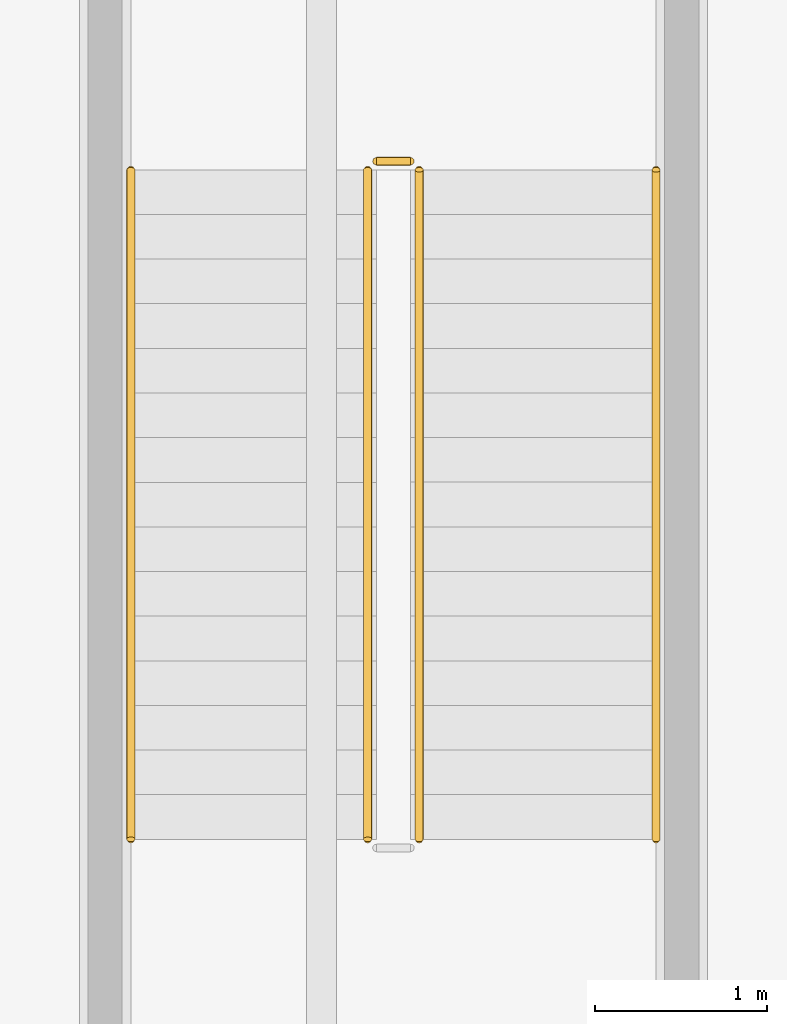
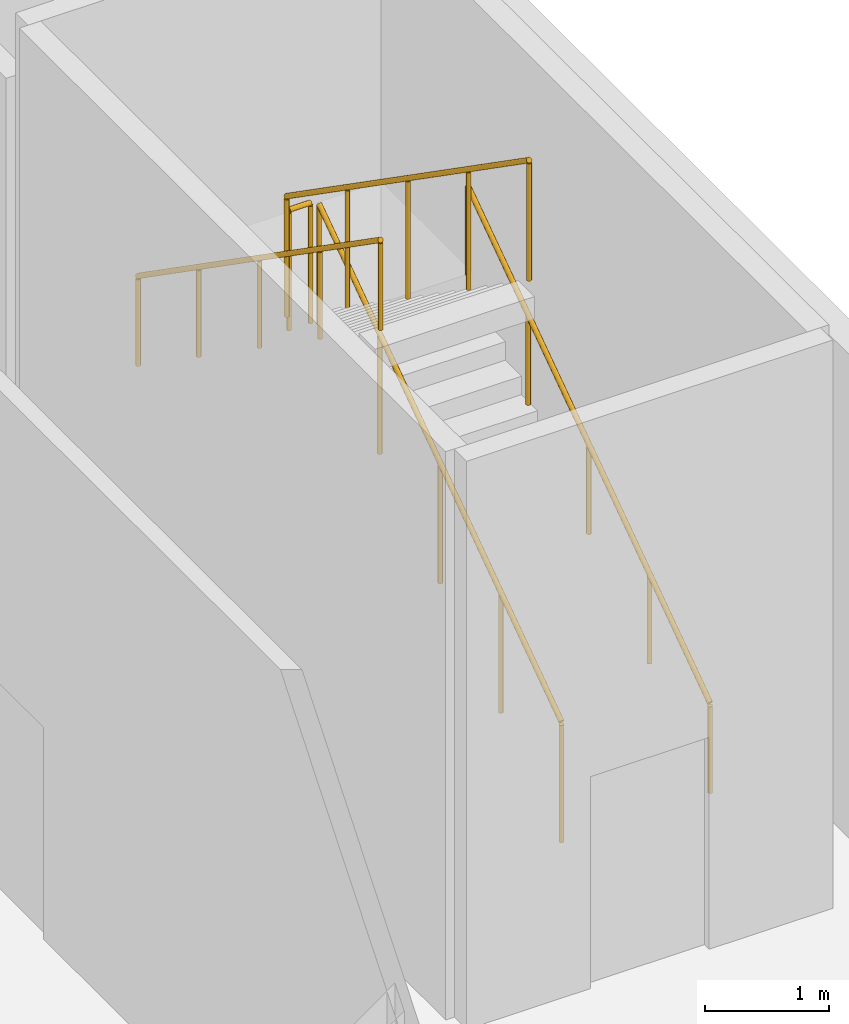
# One storey, part 35 of 36: 5 railings.
"""IFC4 building model written with IfcOpenShell, lengths in metres."""

import ifcopenshell
import ifcopenshell.guid

model = None  # the IFC model being written
_history = None  # IfcOwnerHistory: only IFC2X3 demands one
_inside = {}  # id of a spatial element -> (the spatial element, [elements in it])
_under = {}  # id of a project, library or spatial element -> (it, [spatial elements below it])
_declared = {}  # id of a project -> (the project, [libraries it declares])
_typed = {}  # id of a type object -> (the type object, [elements of that type])
_made_of = {}  # id of a material, layer set ... -> (it, [elements and type objects made of it])


def new_model(schema):
    """Start an empty IFC model of exactly this schema.

    Asked for "IFC4X3", IfcOpenShell would pick the latest addendum, in which some entities
    have other attributes; the version numbers below select the first issue.
    IFC2X3 requires an IfcOwnerHistory on every rooted entity: one is made here for all.
    """
    global model, _history
    if schema == "IFC4X3":
        model = ifcopenshell.file(schema_version=(4, 3, 0, 0))
    else:
        model = ifcopenshell.file(schema=schema)
    _inside.clear()
    _under.clear()
    _declared.clear()
    _typed.clear()
    _made_of.clear()
    _history = None
    if model.schema == "IFC2X3":
        org = make("IfcOrganization", Name="unknown")
        user = make(
            "IfcPersonAndOrganization",
            ThePerson=make("IfcPerson", FamilyName="unknown"),
            TheOrganization=org,
        )
        app = make(
            "IfcApplication",
            ApplicationDeveloper=org,
            Version="unknown",
            ApplicationFullName="unknown",
            ApplicationIdentifier="unknown",
        )
        _history = make(
            "IfcOwnerHistory",
            OwningUser=user,
            OwningApplication=app,
            ChangeAction="ADDED",
            CreationDate=0,
        )
    return model


def make(cls, **values):
    """One entity of the class cls with the attributes given. An attribute that is None is left unset."""
    return model.create_entity(
        cls, **{name: value for name, value in values.items() if value is not None}
    )


def rooted(cls, **values):
    """An entity with a GlobalId (a new one), such as an element, a storey or a relation."""
    return make(cls, GlobalId=ifcopenshell.guid.new(), OwnerHistory=_history, **values)


def si_unit(unit_type, name, prefix=None):
    """IfcSIUnit, for example si_unit("LENGTHUNIT", "METRE", prefix="MILLI")."""
    return make("IfcSIUnit", UnitType=unit_type, Prefix=prefix, Name=name)


def assignment(units):
    """IfcUnitAssignment: the units of a project."""
    return None if units is None else make("IfcUnitAssignment", Units=units)


def point(xyz):
    """IfcCartesianPoint."""
    return None if xyz is None else make("IfcCartesianPoint", Coordinates=xyz)


def direction(xyz):
    """IfcDirection."""
    return None if xyz is None else make("IfcDirection", DirectionRatios=xyz)


def frame(location, z_axis=None, x_axis=None):
    """IfcAxis2Placement3D, a coordinate frame: its origin and axes. An axis left out is left unset."""
    return make(
        "IfcAxis2Placement3D",
        Location=point(location),
        Axis=direction(z_axis),
        RefDirection=direction(x_axis),
    )


def frame_2d(location, x_axis=None):
    """IfcAxis2Placement2D, a coordinate frame in the plane: its origin and x axis."""
    return make(
        "IfcAxis2Placement2D", Location=point(location), RefDirection=direction(x_axis)
    )


def origin():
    """The frame at (0, 0, 0) with its axes left unset."""
    return frame((0.0, 0.0, 0.0))


def origin_2d():
    """The frame at (0, 0) in the plane with its x axis left unset."""
    return frame_2d((0.0, 0.0))


def place(relative_to, where):
    """IfcLocalPlacement: puts the frame where relative to a parent placement (None: the world)."""
    return make(
        "IfcLocalPlacement", PlacementRelTo=relative_to, RelativePlacement=where
    )


def context(
    kind, dimensions, precision=None, world=None, true_north=None, identifier=None
):
    """IfcGeometricRepresentationContext, for example the 3D "Model" context."""
    return make(
        "IfcGeometricRepresentationContext",
        ContextIdentifier=identifier,
        ContextType=kind,
        CoordinateSpaceDimension=dimensions,
        Precision=precision,
        WorldCoordinateSystem=world,
        TrueNorth=true_north,
    )


def subcontext(parent, identifier, kind, view, scale=None):
    """IfcGeometricRepresentationSubContext, for example "Body" below "Model"."""
    return make(
        "IfcGeometricRepresentationSubContext",
        ContextIdentifier=identifier,
        ContextType=kind,
        ParentContext=parent,
        TargetScale=scale,
        TargetView=view,
    )


def project(units=None, contexts=None):
    """IfcProject with its units and contexts."""
    return rooted(
        "IfcProject",
        Name="project",
        RepresentationContexts=contexts,
        UnitsInContext=assignment(units),
    )


def spatial(cls, under=None, at=None, **own):
    """A site, building, storey or space (cls), placed at a placement, below another one or the project."""
    s = rooted(cls, ObjectPlacement=at, **own)
    if under is not None:
        _under.setdefault(under.id(), (under, []))[1].append(s)
    return s


def profile(cls, at=None, kind="AREA", **sizes):
    """A parametric profile (cls). Its sizes go by their IFC names, for example OverallWidth=200.0."""
    return make(cls, ProfileType=kind, Position=at, **sizes)


def circle(**sizes):
    """IfcCircleProfileDef."""
    return profile("IfcCircleProfileDef", **sizes)


def extrude(swept, where, along, depth):
    """IfcExtrudedAreaSolid: the profile swept, set in the frame where, extruded along a direction by depth."""
    return make(
        "IfcExtrudedAreaSolid",
        SweptArea=swept,
        Position=where,
        ExtrudedDirection=direction(along),
        Depth=depth,
    )


def shape(context_of_items, identifier, shape_type, items):
    """IfcShapeRepresentation: the items that make up one representation, for example the "Body"."""
    return make(
        "IfcShapeRepresentation",
        ContextOfItems=context_of_items,
        RepresentationIdentifier=identifier,
        RepresentationType=shape_type,
        Items=items,
    )


def material(Name=None, Category=None):
    """IfcMaterial."""
    return make("IfcMaterial", Name=Name, Category=Category)


def layer(
    of_material, thickness, ventilated=None, Name=None, Category=None, Priority=None
):
    """IfcMaterialLayer: one layer of a wall or slab, of a material (None: an air gap)."""
    return make(
        "IfcMaterialLayer",
        Material=of_material,
        LayerThickness=thickness,
        IsVentilated=ventilated,
        Name=Name,
        Category=Category,
        Priority=Priority,
    )


def layer_set(layers, Name=None):
    """IfcMaterialLayerSet."""
    return make("IfcMaterialLayerSet", MaterialLayers=layers, LayerSetName=Name)


def made_of(thing, what):
    """Note that an element or type object is made of a material, layer set ...; save() writes the relation."""
    if what is not None:
        _made_of.setdefault(what.id(), (what, []))[1].append(thing)
    return thing


def type_object(cls, material=None, **own):
    """A type object (cls), such as IfcWallType, which elements share."""
    return made_of(rooted(cls, **own), material)


def element(
    cls,
    number,
    at=None,
    inside=None,
    cuts=None,
    type_object=None,
    material=None,
    context=None,
    identifier="Body",
    shape_type=None,
    held_by="IfcProductDefinitionShape",
    body=None,
    shapes=None,
    **own,
):
    """One element of the class cls, such as IfcWall. Its Tag is "e" and its number.

    at: its placement. inside: the storey or other place that contains it. cuts: it is an
    opening in that element (IfcRelVoidsElement). A single representation is given by context,
    identifier, shape_type and body (its items); several are given by shapes. held_by: the class
    of the entity that holds the representations. save() writes the other relations.
    """
    e = rooted(cls, Tag="e%d" % number, ObjectPlacement=at, **own)
    if body is not None:
        shapes = [shape(context, identifier, shape_type, body)]
    if shapes is not None:
        e.Representation = make(held_by, Representations=shapes)
    if inside is not None:
        _inside.setdefault(inside.id(), (inside, []))[1].append(e)
    if cuts is not None:
        rooted(
            "IfcRelVoidsElement", RelatingBuildingElement=cuts, RelatedOpeningElement=e
        )
    if type_object is not None:
        _typed.setdefault(type_object.id(), (type_object, []))[1].append(e)
    return made_of(e, material)


def aggregate(whole, parts):
    """IfcRelAggregates: a whole, such as a stair, and the parts it consists of."""
    return rooted("IfcRelAggregates", RelatingObject=whole, RelatedObjects=parts)


def save(model, path):
    """Write the relations noted so far, then the file.

    IfcRelAggregates (storeys below a building ...), IfcRelContainedInSpatialStructure (elements
    in a storey), IfcRelDefinesByType, IfcRelAssociatesMaterial and IfcRelDeclares: one each for
    every whole, place, type object, material and project.
    """
    for whole, parts in _under.values():
        aggregate(whole, parts)
    for where, things in _inside.values():
        rooted(
            "IfcRelContainedInSpatialStructure",
            RelatedElements=things,
            RelatingStructure=where,
        )
    for kind, things in _typed.values():
        rooted("IfcRelDefinesByType", RelatedObjects=things, RelatingType=kind)
    for what, things in _made_of.values():
        rooted("IfcRelAssociatesMaterial", RelatedObjects=things, RelatingMaterial=what)
    for by, libraries in _declared.values():
        rooted("IfcRelDeclares", RelatingContext=by, RelatedDefinitions=libraries)
    model.write(path)


model = new_model("IFC4")

# Units and contexts
model_context = context("Model", 3, precision=1e-05, world=origin(), true_north=direction((0.0, 1.0)))
body_context = subcontext(model_context, "Body", "Model", "MODEL_VIEW")
ifc_project = project(units=[si_unit("LENGTHUNIT", "METRE"), si_unit("AREAUNIT", "SQUARE_METRE"), si_unit("VOLUMEUNIT", "CUBIC_METRE"), si_unit("PLANEANGLEUNIT", "RADIAN"), si_unit("MASSUNIT", "GRAM", prefix="KILO")], contexts=[model_context])

# Site, building, storey
site_placement = place(None, origin())
site = spatial("IfcSite", under=ifc_project, at=site_placement, CompositionType="ELEMENT")
building_placement = place(site_placement, origin())
building = spatial("IfcBuilding", under=site, at=building_placement, Name="Noeulbin Bourse Tower", CompositionType="ELEMENT")
storey_placement = place(building_placement, origin())
storey = spatial("IfcBuildingStorey", under=building, at=storey_placement, Name="L01", CompositionType="ELEMENT", Elevation=0.0)

# Railings
ifc_material_1 = material(Name="Painted Tubular Steel S355", Category="steel")
ifc_layer_1 = layer(ifc_material_1, 0.048095703125)
ifc_layer_set_1 = layer_set([ifc_layer_1], Name="Painted Tubular Steel S355")
railing_type_1 = type_object("IfcRailingType", Name="RLG-STR-GRD", PredefinedType="GUARDRAIL", material=ifc_layer_set_1)
railing_1_placement = place(storey_placement, frame((74.8701171875, 42.280029296875, 0.18115234375)))
element("IfcRailing", 1, at=railing_1_placement, inside=storey, type_object=railing_type_1, Name="L01 MST-2 stair guard 1", PredefinedType="GUARDRAIL", context=body_context, shape_type="SweptSolid", body=[
    extrude(circle(Radius=0.02392578125, at=origin_2d()), frame((0.0, 0.0, 1.17578125), z_axis=(0.0, 0.820335381215, 0.571882734769), x_axis=(-1.0, 0.0, 0.0)), (0.0, 0.0, 1.0), 4.754150390625),
    extrude(circle(Radius=0.02099609375, at=origin_2d()), origin(), (0.0, 0.0, 1.0), 1.15185546875),
    extrude(circle(Radius=0.02099609375, at=origin_2d()), frame((0.0, 0.97509765625, 0.6796875)), (0.0, 0.0, 1.0), 1.15185546875),
    extrude(circle(Radius=0.02099609375, at=origin_2d()), frame((0.0, 1.949951171875, 1.359375)), (0.0, 0.0, 1.0), 1.15185546875),
    extrude(circle(Radius=0.02099609375, at=origin_2d()), frame((0.0, 2.9248046875, 2.0390625)), (0.0, 0.0, 1.0), 1.15185546875),
    extrude(circle(Radius=0.02099609375, at=origin_2d()), frame((0.0, 3.89990234375, 2.71875)), (0.0, 0.0, 1.0), 1.15185546875),
])
railing_2_placement = place(storey_placement, frame((74.820068359375, 46.22998046875, 2.89990234375)))
element("IfcRailing", 2, at=railing_2_placement, inside=storey, type_object=railing_type_1, Name="L01 MST-2 stair guard 2", PredefinedType="GUARDRAIL", context=body_context, shape_type="SweptSolid", body=[
    extrude(circle(Radius=0.02392578125, at=origin_2d()), frame((0.0, 0.0, 1.17578125), z_axis=(-1.0, 0.0, 0.0), x_axis=(0.0, -1.0, 0.0)), (0.0, 0.0, 1.0), 0.199951171875),
    extrude(circle(Radius=0.02099609375, at=origin_2d()), origin(), (0.0, 0.0, 1.0), 1.15185546875),
    extrude(circle(Radius=0.02099609375, at=origin_2d()), frame((-0.199951171875, 0.0, 0.0)), (0.0, 0.0, 1.0), 1.15185546875),
])
railing_3_placement = place(storey_placement, frame((74.570068359375, 46.179931640625, 3.081298828125)))
element("IfcRailing", 3, at=railing_3_placement, inside=storey, type_object=railing_type_1, Name="L01 MST-2 stair guard 3", PredefinedType="GUARDRAIL", context=body_context, shape_type="SweptSolid", body=[
    extrude(circle(Radius=0.02392578125, at=origin_2d()), frame((0.0, 0.0, 1.17578125), z_axis=(0.0, -0.820335381215, 0.571882734769), x_axis=(1.0, 0.0, 0.0)), (0.0, 0.0, 1.0), 4.754150390625),
    extrude(circle(Radius=0.02099609375, at=origin_2d()), origin(), (0.0, 0.0, 1.0), 1.15185546875),
    extrude(circle(Radius=0.02099609375, at=origin_2d()), frame((0.0, -0.97509765625, 0.6796875)), (0.0, 0.0, 1.0), 1.15185546875),
    extrude(circle(Radius=0.02099609375, at=origin_2d()), frame((0.0, -1.949951171875, 1.359375)), (0.0, 0.0, 1.0), 1.15185546875),
    extrude(circle(Radius=0.02099609375, at=origin_2d()), frame((0.0, -2.9248046875, 2.0390625)), (0.0, 0.0, 1.0), 1.15185546875),
    extrude(circle(Radius=0.02099609375, at=origin_2d()), frame((0.0, -3.89990234375, 2.71875)), (0.0, 0.0, 1.0), 1.15185546875),
])
ifc_material_2 = material(Name="Brushed Stainless Steel 316", Category="steel")
ifc_layer_2 = layer(ifc_material_2, 0.048095703125)
ifc_layer_set_2 = layer_set([ifc_layer_2], Name="Brushed Stainless Steel 316")
railing_type_2 = type_object("IfcRailingType", Name="RLG-STR-HND", PredefinedType="HANDRAIL", material=ifc_layer_set_2)
railing_4_placement = place(storey_placement, frame((76.25, 42.280029296875, 0.18115234375)))
element("IfcRailing", 4, at=railing_4_placement, inside=storey, type_object=railing_type_2, Name="L01 MST-2 stair handrail 1", PredefinedType="HANDRAIL", context=body_context, shape_type="SweptSolid", body=[
    extrude(circle(Radius=0.02392578125, at=origin_2d()), frame((0.0, 0.0, 0.8759765625), z_axis=(0.0, 0.820335381215, 0.571882734769), x_axis=(-1.0, 0.0, 0.0)), (0.0, 0.0, 1.0), 4.754150390625),
    extrude(circle(Radius=0.02099609375, at=origin_2d()), origin(), (0.0, 0.0, 1.0), 0.851806640625),
    extrude(circle(Radius=0.02099609375, at=origin_2d()), frame((0.0, 0.97509765625, 0.6796875)), (0.0, 0.0, 1.0), 0.851806640625),
    extrude(circle(Radius=0.02099609375, at=origin_2d()), frame((0.0, 1.949951171875, 1.359375)), (0.0, 0.0, 1.0), 0.851806640625),
    extrude(circle(Radius=0.02099609375, at=origin_2d()), frame((0.0, 2.9248046875, 2.0390625)), (0.0, 0.0, 1.0), 0.851806640625),
    extrude(circle(Radius=0.02099609375, at=origin_2d()), frame((0.0, 3.89990234375, 2.71875)), (0.0, 0.0, 1.0), 0.851806640625),
])
railing_5_placement = place(storey_placement, frame((73.18994140625, 46.179931640625, 3.081298828125)))
element("IfcRailing", 5, at=railing_5_placement, inside=storey, type_object=railing_type_2, Name="L01 MST-2 stair handrail 2", PredefinedType="HANDRAIL", context=body_context, shape_type="SweptSolid", body=[
    extrude(circle(Radius=0.02392578125, at=origin_2d()), frame((0.0, 0.0, 0.8759765625), z_axis=(0.0, -0.820335381215, 0.571882734769), x_axis=(1.0, 0.0, 0.0)), (0.0, 0.0, 1.0), 4.754150390625),
    extrude(circle(Radius=0.02099609375, at=origin_2d()), origin(), (0.0, 0.0, 1.0), 0.851806640625),
    extrude(circle(Radius=0.02099609375, at=origin_2d()), frame((0.0, -0.97509765625, 0.6796875)), (0.0, 0.0, 1.0), 0.851806640625),
    extrude(circle(Radius=0.02099609375, at=origin_2d()), frame((0.0, -1.949951171875, 1.359375)), (0.0, 0.0, 1.0), 0.851806640625),
    extrude(circle(Radius=0.02099609375, at=origin_2d()), frame((0.0, -2.9248046875, 2.0390625)), (0.0, 0.0, 1.0), 0.851806640625),
    extrude(circle(Radius=0.02099609375, at=origin_2d()), frame((0.0, -3.89990234375, 2.71875)), (0.0, 0.0, 1.0), 0.851806640625),
])

save(model, "model.ifc")
